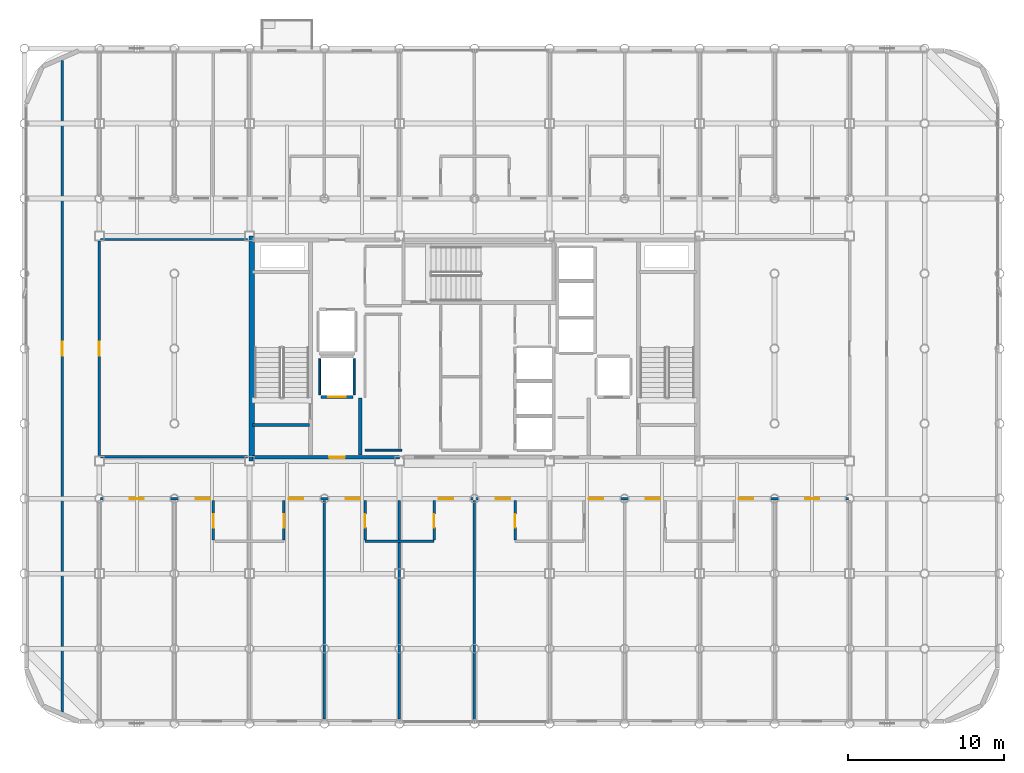
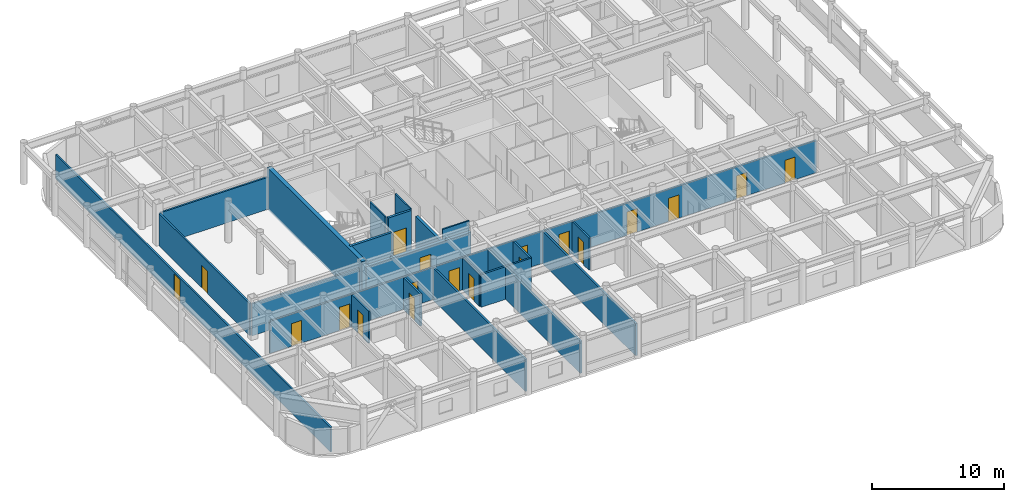
# One storey, part 17 of 23: 22 walls, 19 doors, 19 openings.
"""IFC4 building model written with IfcOpenShell, lengths in metres."""

from ifc_helpers import new_model, si_unit, direction, frame, frame_2d, origin, place, context, subcontext, project, spatial, rectangle, extrude, material, layer, layer_set, type_object, element, fill, save


model = new_model("IFC4")

# Units and contexts
model_context = context("Model", 3, precision=1e-05, world=origin(), true_north=direction((0.0, 1.0)))
body_context = subcontext(model_context, "Body", "Model", "MODEL_VIEW")
ifc_project = project(units=[si_unit("LENGTHUNIT", "METRE"), si_unit("AREAUNIT", "SQUARE_METRE"), si_unit("VOLUMEUNIT", "CUBIC_METRE"), si_unit("PLANEANGLEUNIT", "RADIAN"), si_unit("MASSUNIT", "GRAM", prefix="KILO")], contexts=[model_context])

# Site, building, storey
site_placement = place(None, origin())
site = spatial("IfcSite", under=ifc_project, at=site_placement, CompositionType="ELEMENT")
building_placement = place(site_placement, origin())
building = spatial("IfcBuilding", under=site, at=building_placement, Name="Kallvorn Hotel Tower", CompositionType="ELEMENT")
storey_placement = place(building_placement, frame((0.0, 0.0, 195.35009765625)))
storey = spatial("IfcBuildingStorey", under=building, at=storey_placement, Name="L48", CompositionType="ELEMENT", Elevation=195.35009765625)

# Walls
ifc_material_1 = material(Name="Concrete C50/60", Category="concrete")
ifc_layer_1 = layer(ifc_material_1, 0.35009765625)
ifc_layer_set_1 = layer_set([ifc_layer_1], Name="WL_CORE_350")
wall_type_1 = type_object("IfcWallType", Name="WL_CORE_350", PredefinedType="SHEAR", material=ifc_layer_set_1)
wall_1_placement = place(storey_placement, frame((-14.239990234375, -7.199951171875, -0.18017578125), z_axis=(0.0, 0.0, 1.0), x_axis=(0.0, 1.0, 0.0)))
element("IfcWall", 1, at=wall_1_placement, inside=storey, type_object=wall_type_1, Name="L48 Core West Shear Wall", PredefinedType="SHEAR", context=body_context, shape_type="SweptSolid", body=[
    extrude(rectangle(XDim=14.39990234375, YDim=0.35009765625, at=frame_2d((7.199951171875, 0.0))), origin(), (0.0, 0.0, 1.0), 3.85009765625),
])
ifc_material_2 = material(Name="Fire-rated double-layer acoustic gypsum drywall EI 60")
ifc_layer_2 = layer(ifc_material_2, 0.159912109375)
ifc_layer_set_2 = layer_set([ifc_layer_2], Name="WL_DEMISE_160")
wall_type_2 = type_object("IfcWallType", Name="WL_DEMISE_160", PredefinedType="PARTITIONING", material=ifc_layer_set_2)
wall_2_placement = place(storey_placement, frame((-7.010009765625, -12.320068359375, 0.0), z_axis=(0.0, 0.0, 1.0), x_axis=(1.0, 0.0, 0.0)))
element("IfcWall", 2, at=wall_2_placement, inside=storey, type_object=wall_type_2, Name="L48 Suite 4803 Superior Twin Room Partition", PredefinedType="PARTITIONING", context=body_context, shape_type="SweptSolid", body=[
    extrude(rectangle(XDim=4.419921875, YDim=0.159912109375, at=frame_2d((2.2099609375, 0.0))), origin(), (0.0, 0.0, 1.0), 3.02001953125),
])

# Wall, openings, doors
wall_3_placement = place(storey_placement, frame((-23.919921875, -9.60009765625, 0.0), z_axis=(0.0, 0.0, 1.0), x_axis=(1.0, 0.0, 0.0)))
wall_3 = element("IfcWall", 3, at=wall_3_placement, inside=storey, type_object=wall_type_2, Name="L48 Suite 4801 Superior Twin Room Partition", PredefinedType="PARTITIONING", context=body_context, shape_type="SweptSolid", body=[
    extrude(rectangle(XDim=47.83984375, YDim=0.159912109375, at=frame_2d((23.919921875, 0.0))), origin(), (0.0, 0.0, 1.0), 2.969970703125),
])
opening_1_placement = place(wall_3_placement, frame((1.8701171875, 0.0, 0.0)))
opening_1 = element("IfcOpeningElement", 4, at=opening_1_placement, cuts=wall_3, Name="Opening SVD1", PredefinedType="OPENING", context=body_context, shape_type="SweptSolid", body=[
    extrude(rectangle(XDim=0.89990234375, YDim=2.10009765625, at=frame_2d((0.449951171875, 1.050048828125))), frame((0.0, 0.094970703125, 0.0), z_axis=(0.0, -1.0, 0.0), x_axis=(1.0, 0.0, 0.0)), (0.0, 0.0, 1.0), 0.18994140625),
])
opening_2_placement = place(wall_3_placement, frame((45.070068359375, 0.0, 0.0)))
opening_2 = element("IfcOpeningElement", 5, at=opening_2_placement, cuts=wall_3, Name="Opening SVD1", PredefinedType="OPENING", context=body_context, shape_type="SweptSolid", body=[
    extrude(rectangle(XDim=0.89990234375, YDim=2.10009765625, at=frame_2d((0.449951171875, 1.050048828125))), frame((0.0, 0.094970703125, 0.0), z_axis=(0.0, -1.0, 0.0), x_axis=(1.0, 0.0, 0.0)), (0.0, 0.0, 1.0), 0.18994140625),
])
opening_3_placement = place(wall_3_placement, frame((6.090087890625, 0.0, 0.0)))
opening_3 = element("IfcOpeningElement", 6, at=opening_3_placement, cuts=wall_3, Name="Opening GD1", PredefinedType="OPENING", context=body_context, shape_type="SweptSolid", body=[
    extrude(rectangle(XDim=0.919921875, YDim=2.14990234375, at=frame_2d((0.4599609375, 1.074951171875))), frame((0.0, 0.094970703125, 0.0), z_axis=(0.0, -1.0, 0.0), x_axis=(1.0, 0.0, 0.0)), (0.0, 0.0, 1.0), 0.18994140625),
])
opening_4_placement = place(wall_3_placement, frame((12.030029296875, 0.0, 0.0)))
opening_4 = element("IfcOpeningElement", 7, at=opening_4_placement, cuts=wall_3, Name="Opening GD1", PredefinedType="OPENING", context=body_context, shape_type="SweptSolid", body=[
    extrude(rectangle(XDim=0.919921875, YDim=2.14990234375, at=frame_2d((0.4599609375, 1.074951171875))), frame((0.0, 0.094970703125, 0.0), z_axis=(0.0, -1.0, 0.0), x_axis=(1.0, 0.0, 0.0)), (0.0, 0.0, 1.0), 0.18994140625),
])
opening_5_placement = place(wall_3_placement, frame((15.68994140625, 0.0, 0.0)))
opening_5 = element("IfcOpeningElement", 8, at=opening_5_placement, cuts=wall_3, Name="Opening GD1", PredefinedType="OPENING", context=body_context, shape_type="SweptSolid", body=[
    extrude(rectangle(XDim=0.919921875, YDim=2.14990234375, at=frame_2d((0.4599609375, 1.074951171875))), frame((0.0, 0.094970703125, 0.0), z_axis=(0.0, -1.0, 0.0), x_axis=(1.0, 0.0, 0.0)), (0.0, 0.0, 1.0), 0.18994140625),
])
opening_6_placement = place(wall_3_placement, frame((21.6298828125, 0.0, 0.0)))
opening_6 = element("IfcOpeningElement", 9, at=opening_6_placement, cuts=wall_3, Name="Opening GD1", PredefinedType="OPENING", context=body_context, shape_type="SweptSolid", body=[
    extrude(rectangle(XDim=0.919921875, YDim=2.14990234375, at=frame_2d((0.4599609375, 1.074951171875))), frame((0.0, 0.094970703125, 0.0), z_axis=(0.0, -1.0, 0.0), x_axis=(1.0, 0.0, 0.0)), (0.0, 0.0, 1.0), 0.18994140625),
])
opening_7_placement = place(wall_3_placement, frame((25.2900390625, 0.0, 0.0)))
opening_7 = element("IfcOpeningElement", 10, at=opening_7_placement, cuts=wall_3, Name="Opening GD1", PredefinedType="OPENING", context=body_context, shape_type="SweptSolid", body=[
    extrude(rectangle(XDim=0.919921875, YDim=2.14990234375, at=frame_2d((0.4599609375, 1.074951171875))), frame((0.0, 0.094970703125, 0.0), z_axis=(0.0, -1.0, 0.0), x_axis=(1.0, 0.0, 0.0)), (0.0, 0.0, 1.0), 0.18994140625),
])
opening_8_placement = place(wall_3_placement, frame((31.22998046875, 0.0, 0.0)))
opening_8 = element("IfcOpeningElement", 11, at=opening_8_placement, cuts=wall_3, Name="Opening GD1", PredefinedType="OPENING", context=body_context, shape_type="SweptSolid", body=[
    extrude(rectangle(XDim=0.919921875, YDim=2.14990234375, at=frame_2d((0.4599609375, 1.074951171875))), frame((0.0, 0.094970703125, 0.0), z_axis=(0.0, -1.0, 0.0), x_axis=(1.0, 0.0, 0.0)), (0.0, 0.0, 1.0), 0.18994140625),
])
opening_9_placement = place(wall_3_placement, frame((34.889892578125, 0.0, 0.0)))
opening_9 = element("IfcOpeningElement", 12, at=opening_9_placement, cuts=wall_3, Name="Opening GD1", PredefinedType="OPENING", context=body_context, shape_type="SweptSolid", body=[
    extrude(rectangle(XDim=0.919921875, YDim=2.14990234375, at=frame_2d((0.4599609375, 1.074951171875))), frame((0.0, 0.094970703125, 0.0), z_axis=(0.0, -1.0, 0.0), x_axis=(1.0, 0.0, 0.0)), (0.0, 0.0, 1.0), 0.18994140625),
])
opening_10_placement = place(wall_3_placement, frame((40.830078125, 0.0, 0.0)))
opening_10 = element("IfcOpeningElement", 13, at=opening_10_placement, cuts=wall_3, Name="Opening GD1", PredefinedType="OPENING", context=body_context, shape_type="SweptSolid", body=[
    extrude(rectangle(XDim=0.919921875, YDim=2.14990234375, at=frame_2d((0.4599609375, 1.074951171875))), frame((0.0, 0.094970703125, 0.0), z_axis=(0.0, -1.0, 0.0), x_axis=(1.0, 0.0, 0.0)), (0.0, 0.0, 1.0), 0.18994140625),
])
ifc_material_3 = material(Name="Solid-core walnut veneer fire-rated timber door leaf", Category="wood")
door_type_1 = type_object("IfcDoorType", Name="DR_GUEST_920x2150", OperationType="NOTDEFINED", PredefinedType="DOOR", material=ifc_material_3)
door_1_placement = place(opening_3_placement, origin())
door_1 = element("IfcDoor", 14, at=door_1_placement, inside=storey, type_object=door_type_1, Name="L48 Suite 4801 Superior Twin Room Door", OperationType="SINGLE_SWING_RIGHT", OverallHeight=2.14990234375, OverallWidth=0.919921875, PredefinedType="DOOR", context=body_context, shape_type="SweptSolid", body=[
    extrude(rectangle(XDim=0.919921875, YDim=2.14990234375, at=frame_2d((0.4599609375, 1.074951171875))), frame((0.0, 0.02490234375, 0.0), z_axis=(0.0, -1.0, 0.0), x_axis=(1.0, 0.0, 0.0)), (0.0, 0.0, 1.0), 0.050048828125),
])
fill(opening_3, door_1)
door_2_placement = place(opening_4_placement, origin())
door_2 = element("IfcDoor", 15, at=door_2_placement, inside=storey, type_object=door_type_1, Name="L48 Suite 4802 Superior Twin Room Door", OperationType="SINGLE_SWING_RIGHT", OverallHeight=2.14990234375, OverallWidth=0.919921875, PredefinedType="DOOR", context=body_context, shape_type="SweptSolid", body=[
    extrude(rectangle(XDim=0.919921875, YDim=2.14990234375, at=frame_2d((0.4599609375, 1.074951171875))), frame((0.0, 0.02490234375, 0.0), z_axis=(0.0, -1.0, 0.0), x_axis=(1.0, 0.0, 0.0)), (0.0, 0.0, 1.0), 0.050048828125),
])
fill(opening_4, door_2)
door_3_placement = place(opening_5_placement, origin())
door_3 = element("IfcDoor", 16, at=door_3_placement, inside=storey, type_object=door_type_1, Name="L48 Suite 4803 Superior Twin Room Door", OperationType="SINGLE_SWING_RIGHT", OverallHeight=2.14990234375, OverallWidth=0.919921875, PredefinedType="DOOR", context=body_context, shape_type="SweptSolid", body=[
    extrude(rectangle(XDim=0.919921875, YDim=2.14990234375, at=frame_2d((0.4599609375, 1.074951171875))), frame((0.0, 0.02490234375, 0.0), z_axis=(0.0, -1.0, 0.0), x_axis=(1.0, 0.0, 0.0)), (0.0, 0.0, 1.0), 0.050048828125),
])
fill(opening_5, door_3)
door_4_placement = place(opening_6_placement, origin())
door_4 = element("IfcDoor", 17, at=door_4_placement, inside=storey, type_object=door_type_1, Name="L48 Suite 4804 Superior Twin Room Door", OperationType="SINGLE_SWING_LEFT", OverallHeight=2.14990234375, OverallWidth=0.919921875, PredefinedType="DOOR", context=body_context, shape_type="SweptSolid", body=[
    extrude(rectangle(XDim=0.919921875, YDim=2.14990234375, at=frame_2d((0.4599609375, 1.074951171875))), frame((0.0, 0.02490234375, 0.0), z_axis=(0.0, -1.0, 0.0), x_axis=(1.0, 0.0, 0.0)), (0.0, 0.0, 1.0), 0.050048828125),
])
fill(opening_6, door_4)
door_5_placement = place(opening_7_placement, origin())
door_5 = element("IfcDoor", 18, at=door_5_placement, inside=storey, type_object=door_type_1, Name="L48 Suite 4805 Superior Twin Room Door", OperationType="SINGLE_SWING_RIGHT", OverallHeight=2.14990234375, OverallWidth=0.919921875, PredefinedType="DOOR", context=body_context, shape_type="SweptSolid", body=[
    extrude(rectangle(XDim=0.919921875, YDim=2.14990234375, at=frame_2d((0.4599609375, 1.074951171875))), frame((0.0, 0.02490234375, 0.0), z_axis=(0.0, -1.0, 0.0), x_axis=(1.0, 0.0, 0.0)), (0.0, 0.0, 1.0), 0.050048828125),
])
fill(opening_7, door_5)
door_6_placement = place(opening_8_placement, origin())
door_6 = element("IfcDoor", 19, at=door_6_placement, inside=storey, type_object=door_type_1, Name="L48 Suite 4806 Superior Twin Room Door", OperationType="SINGLE_SWING_RIGHT", OverallHeight=2.14990234375, OverallWidth=0.919921875, PredefinedType="DOOR", context=body_context, shape_type="SweptSolid", body=[
    extrude(rectangle(XDim=0.919921875, YDim=2.14990234375, at=frame_2d((0.4599609375, 1.074951171875))), frame((0.0, 0.02490234375, 0.0), z_axis=(0.0, -1.0, 0.0), x_axis=(1.0, 0.0, 0.0)), (0.0, 0.0, 1.0), 0.050048828125),
])
fill(opening_8, door_6)
door_7_placement = place(opening_9_placement, origin())
door_7 = element("IfcDoor", 20, at=door_7_placement, inside=storey, type_object=door_type_1, Name="L48 Suite 4807 Superior Twin Room Door", OperationType="SINGLE_SWING_RIGHT", OverallHeight=2.14990234375, OverallWidth=0.919921875, PredefinedType="DOOR", context=body_context, shape_type="SweptSolid", body=[
    extrude(rectangle(XDim=0.919921875, YDim=2.14990234375, at=frame_2d((0.4599609375, 1.074951171875))), frame((0.0, 0.02490234375, 0.0), z_axis=(0.0, -1.0, 0.0), x_axis=(1.0, 0.0, 0.0)), (0.0, 0.0, 1.0), 0.050048828125),
])
fill(opening_9, door_7)
door_8_placement = place(opening_10_placement, origin())
door_8 = element("IfcDoor", 21, at=door_8_placement, inside=storey, type_object=door_type_1, Name="L48 Suite 4808 Superior Twin Room Door", OperationType="SINGLE_SWING_LEFT", OverallHeight=2.14990234375, OverallWidth=0.919921875, PredefinedType="DOOR", context=body_context, shape_type="SweptSolid", body=[
    extrude(rectangle(XDim=0.919921875, YDim=2.14990234375, at=frame_2d((0.4599609375, 1.074951171875))), frame((0.0, 0.02490234375, 0.0), z_axis=(0.0, -1.0, 0.0), x_axis=(1.0, 0.0, 0.0)), (0.0, 0.0, 1.0), 0.050048828125),
])
fill(opening_10, door_8)
ifc_material_4 = material(Name="Galvanised painted steel fire-rated door assembly", Category="steel")
door_type_2 = type_object("IfcDoorType", Name="DR_SERV_900x2100", OperationType="NOTDEFINED", PredefinedType="DOOR", material=ifc_material_4)
door_9_placement = place(opening_1_placement, origin())
door_9 = element("IfcDoor", 22, at=door_9_placement, inside=storey, type_object=door_type_2, Name="L48 L48 High-Zone South-West Tea Bar Door", OperationType="SINGLE_SWING_LEFT", OverallHeight=2.10009765625, OverallWidth=0.89990234375, PredefinedType="DOOR", context=body_context, shape_type="SweptSolid", body=[
    extrude(rectangle(XDim=0.89990234375, YDim=2.10009765625, at=frame_2d((0.449951171875, 1.050048828125))), frame((0.0, 0.02490234375, 0.0), z_axis=(0.0, -1.0, 0.0), x_axis=(1.0, 0.0, 0.0)), (0.0, 0.0, 1.0), 0.050048828125),
])
fill(opening_1, door_9)
door_10_placement = place(opening_2_placement, origin())
door_10 = element("IfcDoor", 23, at=door_10_placement, inside=storey, type_object=door_type_2, Name="L48 L48 High-Zone South-East Wine Bar Door", OperationType="SINGLE_SWING_LEFT", OverallHeight=2.10009765625, OverallWidth=0.89990234375, PredefinedType="DOOR", context=body_context, shape_type="SweptSolid", body=[
    extrude(rectangle(XDim=0.89990234375, YDim=2.10009765625, at=frame_2d((0.449951171875, 1.050048828125))), frame((0.0, 0.02490234375, 0.0), z_axis=(0.0, -1.0, 0.0), x_axis=(1.0, 0.0, 0.0)), (0.0, 0.0, 1.0), 0.050048828125),
])
fill(opening_2, door_10)

# Wall, opening, door
wall_4_placement = place(storey_placement, frame((-16.705078125, -12.235107421875, 0.0), z_axis=(0.0, 0.0, 1.0), x_axis=(0.0, 1.0, 0.0)))
wall_4 = element("IfcWall", 24, at=wall_4_placement, inside=storey, type_object=wall_type_2, Name="L48 Suite 4801 Superior Twin Room Partition", PredefinedType="PARTITIONING", context=body_context, shape_type="SweptSolid", body=[
    extrude(rectangle(XDim=2.51513671875, YDim=0.159912109375, at=frame_2d((1.257568359375, 0.0))), origin(), (0.0, 0.0, 1.0), 2.969970703125),
])
opening_11_placement = place(wall_4_placement, frame((0.784912109375, 0.0, 0.0)))
opening_11 = element("IfcOpeningElement", 25, at=opening_11_placement, cuts=wall_4, Name="Opening BD-I", PredefinedType="OPENING", context=body_context, shape_type="SweptSolid", body=[
    extrude(rectangle(XDim=0.860107421875, YDim=2.10009765625, at=frame_2d((0.43017578125, 1.050048828125))), frame((0.0, 0.094970703125, 0.0), z_axis=(0.0, -1.0, 0.0), x_axis=(1.0, 0.0, 0.0)), (0.0, 0.0, 1.0), 0.18994140625),
])
ifc_material_5 = material(Name="Solid-core walnut veneer fire-rated timber door leaf", Category="wood")
door_type_3 = type_object("IfcDoorType", Name="DR_BATH_860x2100", OperationType="NOTDEFINED", PredefinedType="DOOR", material=ifc_material_5)
door_11_placement = place(opening_11_placement, origin())
door_11 = element("IfcDoor", 26, at=door_11_placement, inside=storey, type_object=door_type_3, Name="L48 Suite 4801 En-Suite Bathroom Door", OperationType="SINGLE_SWING_LEFT", OverallHeight=2.10009765625, OverallWidth=0.860107421875, PredefinedType="DOOR", context=body_context, shape_type="SweptSolid", body=[
    extrude(rectangle(XDim=0.860107421875, YDim=2.10009765625, at=frame_2d((0.43017578125, 1.050048828125))), frame((0.0, 0.02490234375, 0.0), z_axis=(0.0, -1.0, 0.0), x_axis=(1.0, 0.0, 0.0)), (0.0, 0.0, 1.0), 0.050048828125),
])
fill(opening_11, door_11)

wall_5_placement = place(storey_placement, frame((-12.18994140625, -12.235107421875, 0.0), z_axis=(0.0, 0.0, 1.0), x_axis=(0.0, 1.0, 0.0)))
wall_5 = element("IfcWall", 27, at=wall_5_placement, inside=storey, type_object=wall_type_2, Name="L48 Suite 4802 Superior Twin Room Partition", PredefinedType="PARTITIONING", context=body_context, shape_type="SweptSolid", body=[
    extrude(rectangle(XDim=2.51513671875, YDim=0.159912109375, at=frame_2d((1.257568359375, 0.0))), origin(), (0.0, 0.0, 1.0), 2.969970703125),
])
opening_12_placement = place(wall_5_placement, frame((0.784912109375, 0.0, 0.0)))
opening_12 = element("IfcOpeningElement", 28, at=opening_12_placement, cuts=wall_5, Name="Opening BD-I", PredefinedType="OPENING", context=body_context, shape_type="SweptSolid", body=[
    extrude(rectangle(XDim=0.860107421875, YDim=2.10009765625, at=frame_2d((0.43017578125, 1.050048828125))), frame((0.0, 0.094970703125, 0.0), z_axis=(0.0, -1.0, 0.0), x_axis=(1.0, 0.0, 0.0)), (0.0, 0.0, 1.0), 0.18994140625),
])
door_12_placement = place(opening_12_placement, origin())
door_12 = element("IfcDoor", 29, at=door_12_placement, inside=storey, type_object=door_type_3, Name="L48 Suite 4802 En-Suite Bathroom Door", OperationType="SINGLE_SWING_LEFT", OverallHeight=2.10009765625, OverallWidth=0.860107421875, PredefinedType="DOOR", context=body_context, shape_type="SweptSolid", body=[
    extrude(rectangle(XDim=0.860107421875, YDim=2.10009765625, at=frame_2d((0.43017578125, 1.050048828125))), frame((0.0, 0.02490234375, 0.0), z_axis=(0.0, -1.0, 0.0), x_axis=(1.0, 0.0, 0.0)), (0.0, 0.0, 1.0), 0.050048828125),
])
fill(opening_12, door_12)

# Wall
wall_6_placement = place(storey_placement, frame((-9.60009765625, -23.7099609375, 0.0), z_axis=(0.0, 0.0, 1.0), x_axis=(0.0, 1.0, 0.0)))
element("IfcWall", 30, at=wall_6_placement, inside=storey, type_object=wall_type_2, Name="L48 Suite 4802 Superior Twin Room Partition", PredefinedType="PARTITIONING", context=body_context, shape_type="SweptSolid", body=[
    extrude(rectangle(XDim=13.989990234375, YDim=0.159912109375, at=frame_2d((6.9951171875, 0.0))), origin(), (0.0, 0.0, 1.0), 2.969970703125),
])

# Wall, opening, door
wall_7_placement = place(storey_placement, frame((-7.0048828125, -12.235107421875, 0.0), z_axis=(0.0, 0.0, 1.0), x_axis=(0.0, 1.0, 0.0)))
wall_7 = element("IfcWall", 31, at=wall_7_placement, inside=storey, type_object=wall_type_2, Name="L48 Suite 4803 Superior Twin Room Partition", PredefinedType="PARTITIONING", context=body_context, shape_type="SweptSolid", body=[
    extrude(rectangle(XDim=2.51513671875, YDim=0.159912109375, at=frame_2d((1.257568359375, 0.0))), origin(), (0.0, 0.0, 1.0), 2.969970703125),
])
opening_13_placement = place(wall_7_placement, frame((0.784912109375, 0.0, 0.0)))
opening_13 = element("IfcOpeningElement", 32, at=opening_13_placement, cuts=wall_7, Name="Opening BD-I", PredefinedType="OPENING", context=body_context, shape_type="SweptSolid", body=[
    extrude(rectangle(XDim=0.860107421875, YDim=2.10009765625, at=frame_2d((0.43017578125, 1.050048828125))), frame((0.0, 0.094970703125, 0.0), z_axis=(0.0, -1.0, 0.0), x_axis=(1.0, 0.0, 0.0)), (0.0, 0.0, 1.0), 0.18994140625),
])
door_13_placement = place(opening_13_placement, origin())
door_13 = element("IfcDoor", 33, at=door_13_placement, inside=storey, type_object=door_type_3, Name="L48 Suite 4803 En-Suite Bathroom Door", OperationType="SINGLE_SWING_RIGHT", OverallHeight=2.10009765625, OverallWidth=0.860107421875, PredefinedType="DOOR", context=body_context, shape_type="SweptSolid", body=[
    extrude(rectangle(XDim=0.860107421875, YDim=2.10009765625, at=frame_2d((0.43017578125, 1.050048828125))), frame((0.0, 0.02490234375, 0.0), z_axis=(0.0, -1.0, 0.0), x_axis=(1.0, 0.0, 0.0)), (0.0, 0.0, 1.0), 0.050048828125),
])
fill(opening_13, door_13)

# Wall
wall_8_placement = place(storey_placement, frame((-4.800048828125, -23.7099609375, 0.0), z_axis=(0.0, 0.0, 1.0), x_axis=(0.0, 1.0, 0.0)))
element("IfcWall", 34, at=wall_8_placement, inside=storey, type_object=wall_type_2, Name="L48 Suite 4803 Superior Twin Room Partition", PredefinedType="PARTITIONING", context=body_context, shape_type="SweptSolid", body=[
    extrude(rectangle(XDim=13.989990234375, YDim=0.159912109375, at=frame_2d((6.9951171875, 0.0))), origin(), (0.0, 0.0, 1.0), 2.969970703125),
])

# Wall, opening, door
wall_9_placement = place(storey_placement, frame((-2.590087890625, -12.235107421875, 0.0), z_axis=(0.0, 0.0, 1.0), x_axis=(0.0, 1.0, 0.0)))
wall_9 = element("IfcWall", 35, at=wall_9_placement, inside=storey, type_object=wall_type_2, Name="L48 Suite 4804 Superior Twin Room Partition", PredefinedType="PARTITIONING", context=body_context, shape_type="SweptSolid", body=[
    extrude(rectangle(XDim=2.51513671875, YDim=0.159912109375, at=frame_2d((1.257568359375, 0.0))), origin(), (0.0, 0.0, 1.0), 2.969970703125),
])
opening_14_placement = place(wall_9_placement, frame((0.784912109375, 0.0, 0.0)))
opening_14 = element("IfcOpeningElement", 36, at=opening_14_placement, cuts=wall_9, Name="Opening BD-I", PredefinedType="OPENING", context=body_context, shape_type="SweptSolid", body=[
    extrude(rectangle(XDim=0.860107421875, YDim=2.10009765625, at=frame_2d((0.43017578125, 1.050048828125))), frame((0.0, 0.094970703125, 0.0), z_axis=(0.0, -1.0, 0.0), x_axis=(1.0, 0.0, 0.0)), (0.0, 0.0, 1.0), 0.18994140625),
])
door_14_placement = place(opening_14_placement, origin())
door_14 = element("IfcDoor", 37, at=door_14_placement, inside=storey, type_object=door_type_3, Name="L48 Suite 4804 En-Suite Bathroom Door", OperationType="SINGLE_SWING_RIGHT", OverallHeight=2.10009765625, OverallWidth=0.860107421875, PredefinedType="DOOR", context=body_context, shape_type="SweptSolid", body=[
    extrude(rectangle(XDim=0.860107421875, YDim=2.10009765625, at=frame_2d((0.43017578125, 1.050048828125))), frame((0.0, 0.02490234375, 0.0), z_axis=(0.0, -1.0, 0.0), x_axis=(1.0, 0.0, 0.0)), (0.0, 0.0, 1.0), 0.050048828125),
])
fill(opening_14, door_14)

# Wall
wall_10_placement = place(storey_placement, frame((0.0, -23.794921875, 0.0), z_axis=(0.0, 0.0, 1.0), x_axis=(0.0, 1.0, 0.0)))
element("IfcWall", 38, at=wall_10_placement, inside=storey, type_object=wall_type_2, Name="L48 Suite 4804 Superior Twin Room Partition", PredefinedType="PARTITIONING", context=body_context, shape_type="SweptSolid", body=[
    extrude(rectangle(XDim=14.074951171875, YDim=0.159912109375, at=frame_2d((7.03759765625, 0.0))), origin(), (0.0, 0.0, 1.0), 2.969970703125),
])

# Wall, opening, door
wall_11_placement = place(storey_placement, frame((2.59326171875, -12.235107421875, 0.0), z_axis=(0.0, 0.0, 1.0), x_axis=(0.0, 1.0, 0.0)))
wall_11 = element("IfcWall", 39, at=wall_11_placement, inside=storey, type_object=wall_type_2, Name="L48 Suite 4805 Superior Twin Room Partition", PredefinedType="PARTITIONING", context=body_context, shape_type="SweptSolid", body=[
    extrude(rectangle(XDim=2.51513671875, YDim=0.159912109375, at=frame_2d((1.257568359375, 0.0))), origin(), (0.0, 0.0, 1.0), 2.969970703125),
])
opening_15_placement = place(wall_11_placement, frame((0.784912109375, 0.0, 0.0)))
opening_15 = element("IfcOpeningElement", 40, at=opening_15_placement, cuts=wall_11, Name="Opening BD-I", PredefinedType="OPENING", context=body_context, shape_type="SweptSolid", body=[
    extrude(rectangle(XDim=0.860107421875, YDim=2.10009765625, at=frame_2d((0.43017578125, 1.050048828125))), frame((0.0, 0.094970703125, 0.0), z_axis=(0.0, -1.0, 0.0), x_axis=(1.0, 0.0, 0.0)), (0.0, 0.0, 1.0), 0.18994140625),
])
door_15_placement = place(opening_15_placement, origin())
door_15 = element("IfcDoor", 41, at=door_15_placement, inside=storey, type_object=door_type_3, Name="L48 Suite 4805 En-Suite Bathroom Door", OperationType="SINGLE_SWING_RIGHT", OverallHeight=2.10009765625, OverallWidth=0.860107421875, PredefinedType="DOOR", context=body_context, shape_type="SweptSolid", body=[
    extrude(rectangle(XDim=0.860107421875, YDim=2.10009765625, at=frame_2d((0.43017578125, 1.050048828125))), frame((0.0, 0.02490234375, 0.0), z_axis=(0.0, -1.0, 0.0), x_axis=(1.0, 0.0, 0.0)), (0.0, 0.0, 1.0), 0.050048828125),
])
fill(opening_15, door_15)

# Walls
ifc_material_6 = material(Name="Concrete C40/50", Category="concrete")
ifc_layer_3 = layer(ifc_material_6, 0.219970703125)
ifc_layer_set_3 = layer_set([ifc_layer_3], Name="WL_FFL_220")
wall_type_3 = type_object("IfcWallType", Name="WL_FFL_220", PredefinedType="SOLIDWALL", material=ifc_layer_set_3)
wall_12_placement = place(storey_placement, frame((-7.300048828125, -6.820068359375, 0.0), z_axis=(0.0, 0.0, 1.0), x_axis=(0.0, 1.0, 0.0)))
element("IfcWall", 42, at=wall_12_placement, inside=storey, type_object=wall_type_3, Name="L48 Firefighting Lobby West Divider Wall", PredefinedType="SOLIDWALL", context=body_context, shape_type="SweptSolid", body=[
    extrude(rectangle(XDim=3.670166015625, YDim=0.219970703125, at=frame_2d((1.8349609375, 0.0))), origin(), (0.0, 0.0, 1.0), 2.969970703125),
])
ifc_material_7 = material(Name="Concrete C40/50", Category="concrete")
ifc_layer_4 = layer(ifc_material_7, 0.199951171875)
ifc_layer_set_4 = layer_set([ifc_layer_4], Name="WL_HOIST_200")
wall_type_4 = type_object("IfcWallType", Name="WL_HOIST_200", PredefinedType="SOLIDWALL", material=ifc_layer_set_4)
wall_13_placement = place(storey_placement, frame((-14.199951171875, -4.89990234375, -0.18017578125), z_axis=(0.0, 0.0, 1.0), x_axis=(1.0, 0.0, 0.0)))
element("IfcWall", 43, at=wall_13_placement, inside=storey, type_object=wall_type_4, Name="L48 Stair ST1 South Wall", PredefinedType="SOLIDWALL", context=body_context, shape_type="SweptSolid", body=[
    extrude(rectangle(XDim=3.64990234375, YDim=0.199951171875, at=frame_2d((1.824951171875, 0.0))), origin(), (0.0, 0.0, 1.0), 3.85009765625),
])

# Wall, opening, door
wall_14_placement = place(storey_placement, frame((-9.820068359375, -3.10009765625, 0.0), z_axis=(0.0, 0.0, 1.0), x_axis=(1.0, 0.0, 0.0)))
wall_14 = element("IfcWall", 44, at=wall_14_placement, inside=storey, type_object=wall_type_4, Name="L48 FL-1 Landing Wall", PredefinedType="SOLIDWALL", context=body_context, shape_type="SweptSolid", body=[
    extrude(rectangle(XDim=2.0400390625, YDim=0.199951171875, at=frame_2d((1.02001953125, 0.0))), origin(), (0.0, 0.0, 1.0), 3.669921875),
])
opening_16_placement = place(wall_14_placement, frame((0.469970703125, 0.0, 0.0)))
opening_16 = element("IfcOpeningElement", 45, at=opening_16_placement, cuts=wall_14, Name="Opening LD-FL-1", PredefinedType="OPENING", context=body_context, shape_type="SweptSolid", body=[
    extrude(rectangle(XDim=1.10009765625, YDim=2.199951171875, at=frame_2d((0.550048828125, 1.10009765625))), frame((0.0, 0.114990234375, 0.0), z_axis=(0.0, -1.0, 0.0), x_axis=(1.0, 0.0, 0.0)), (0.0, 0.0, 1.0), 0.22998046875),
])
ifc_material_8 = material(Name="Brushed stainless-steel automatic sliding lift landing door", Category="steel")
door_type_4 = type_object("IfcDoorType", Name="LD_PASS_1100x2200", OperationType="SLIDING_TO_LEFT", PredefinedType="DOOR", material=ifc_material_8)
door_16_placement = place(opening_16_placement, origin())
door_16 = element("IfcDoor", 46, at=door_16_placement, inside=storey, type_object=door_type_4, Name="L48 Lift Landing Sliding Door LD-FL-1", OperationType="SLIDING_TO_LEFT", OverallHeight=2.199951171875, OverallWidth=1.10009765625, PredefinedType="DOOR", context=body_context, shape_type="SweptSolid", body=[
    extrude(rectangle(XDim=1.10009765625, YDim=2.199951171875, at=frame_2d((0.550048828125, 1.10009765625))), frame((0.0, 0.02490234375, 0.0), z_axis=(0.0, -1.0, 0.0), x_axis=(1.0, 0.0, 0.0)), (0.0, 0.0, 1.0), 0.050048828125),
])
fill(opening_16, door_16)

# Walls
ifc_material_9 = material(Name="Fire-rated double-layer acoustic gypsum drywall EI 60")
ifc_layer_5 = layer(ifc_material_9, 0.1201171875)
ifc_layer_set_5 = layer_set([ifc_layer_5], Name="WL_INT_120")
wall_type_5 = type_object("IfcWallType", Name="WL_INT_120", PredefinedType="PARTITIONING", material=ifc_layer_set_5)
for number, where, z_axis, x_axis, name in (
    (47, (-9.89990234375, -2.9599609375, 0.0), (0.0, 0.0, 1.0), (0.0, 1.0, 0.0), "L48 FL-1 West Shaft Wall"),
    (48, (-7.699951171875, -2.9599609375, 0.0), (0.0, 0.0, 1.0), (0.0, 1.0, 0.0), "L48 FL-1 East Shaft Wall"),
):
    element("IfcWall", number, at=place(storey_placement, frame(where, z_axis=z_axis, x_axis=x_axis)), inside=storey, type_object=wall_type_5, Name=name, PredefinedType="PARTITIONING", context=body_context, shape_type="SweptSolid", body=[
        extrude(rectangle(XDim=2.320068359375, YDim=0.1201171875, at=frame_2d((1.16015625, 0.0))), origin(), (0.0, 0.0, 1.0), 3.669921875),
    ])
wall_15_placement = place(storey_placement, frame((-7.0, -6.5, 0.0), z_axis=(0.0, 0.0, 1.0), x_axis=(1.0, 0.0, 0.0)))
element("IfcWall", 49, at=wall_15_placement, inside=storey, type_object=wall_type_5, Name="L48 Recaptured Butler and Room-Service Pantry Partition", PredefinedType="PARTITIONING", context=body_context, shape_type="SweptSolid", body=[
    extrude(rectangle(XDim=2.35009765625, YDim=0.1201171875, at=frame_2d((1.175048828125, 0.0))), origin(), (0.0, 0.0, 1.0), 3.669921875),
])
ifc_material_10 = material(Name="Fire-rated double-layer acoustic gypsum drywall EI 60")
ifc_layer_6 = layer(ifc_material_10, 0.14990234375)
ifc_layer_set_6 = layer_set([ifc_layer_6], Name="WL_PART_150")
wall_type_6 = type_object("IfcWallType", Name="WL_PART_150", PredefinedType="PARTITIONING", material=ifc_layer_set_6)
for number, where, z_axis, x_axis, name in (
    (50, (-23.919921875, -6.919921875, 0.0), (0.0, 0.0, 1.0), (1.0, 0.0, 0.0), "L48 L48 High-Zone Inner West Club Bar Partition"),
    (51, (-23.919921875, 6.97998046875, 0.0), (0.0, 0.0, 1.0), (1.0, 0.0, 0.0), "L48 L48 High-Zone Inner West Club Bar Partition"),
):
    element("IfcWall", number, at=place(storey_placement, frame(where, z_axis=z_axis, x_axis=x_axis)), inside=storey, type_object=wall_type_6, Name=name, PredefinedType="PARTITIONING", context=body_context, shape_type="SweptSolid", body=[
        extrude(rectangle(XDim=9.39990234375, YDim=0.14990234375, at=frame_2d((4.699951171875, 0.0))), origin(), (0.0, 0.0, 1.0), 2.969970703125),
    ])

# Wall, opening, door
wall_16_placement = place(storey_placement, frame((-26.3798828125, -23.247314453125, 0.0), z_axis=(0.0, 0.0, 1.0), x_axis=(0.0, 1.0, 0.0)))
wall_16 = element("IfcWall", 52, at=wall_16_placement, inside=storey, type_object=wall_type_6, Name="L48 L48 Outer West Sky Observatory Salon Partition", PredefinedType="PARTITIONING", context=body_context, shape_type="SweptSolid", body=[
    extrude(rectangle(XDim=41.694580078125, YDim=0.14990234375, at=frame_2d((20.84716796875, 0.0))), origin(), (0.0, 0.0, 1.0), 2.27001953125),
])
opening_17_placement = place(wall_16_placement, frame((22.79736328125, 0.0, 0.0)))
opening_17 = element("IfcOpeningElement", 53, at=opening_17_placement, cuts=wall_16, Name="Opening SVD1", PredefinedType="OPENING", context=body_context, shape_type="SweptSolid", body=[
    extrude(rectangle(XDim=0.89990234375, YDim=2.10009765625, at=frame_2d((0.449951171875, 1.050048828125))), frame((0.0, 0.08984375, 0.0), z_axis=(0.0, -1.0, 0.0), x_axis=(1.0, 0.0, 0.0)), (0.0, 0.0, 1.0), 0.179931640625),
])
door_17_placement = place(opening_17_placement, origin())
door_17 = element("IfcDoor", 54, at=door_17_placement, inside=storey, type_object=door_type_2, Name="L48 L48 Outer West Sky Observatory Salon Door", OperationType="SINGLE_SWING_RIGHT", OverallHeight=2.10009765625, OverallWidth=0.89990234375, PredefinedType="DOOR", context=body_context, shape_type="SweptSolid", body=[
    extrude(rectangle(XDim=0.89990234375, YDim=2.10009765625, at=frame_2d((0.449951171875, 1.050048828125))), frame((0.0, 0.02490234375, 0.0), z_axis=(0.0, -1.0, 0.0), x_axis=(1.0, 0.0, 0.0)), (0.0, 0.0, 1.0), 0.050048828125),
])
fill(opening_17, door_17)

wall_17_placement = place(storey_placement, frame((-24.0, -6.8349609375, 0.0), z_axis=(0.0, 0.0, 1.0), x_axis=(0.0, 1.0, 0.0)))
wall_17 = element("IfcWall", 55, at=wall_17_placement, inside=storey, type_object=wall_type_6, Name="L48 L48 High-Zone Inner West Club Bar Partition", PredefinedType="PARTITIONING", context=body_context, shape_type="SweptSolid", body=[
    extrude(rectangle(XDim=13.72998046875, YDim=0.14990234375, at=frame_2d((6.864990234375, 0.0))), origin(), (0.0, 0.0, 1.0), 2.969970703125),
])
opening_18_placement = place(wall_17_placement, frame((6.385009765625, 0.0, 0.0)))
opening_18 = element("IfcOpeningElement", 56, at=opening_18_placement, cuts=wall_17, Name="Opening SVD1", PredefinedType="OPENING", context=body_context, shape_type="SweptSolid", body=[
    extrude(rectangle(XDim=0.89990234375, YDim=2.10009765625, at=frame_2d((0.449951171875, 1.050048828125))), frame((0.0, 0.08984375, 0.0), z_axis=(0.0, -1.0, 0.0), x_axis=(1.0, 0.0, 0.0)), (0.0, 0.0, 1.0), 0.179931640625),
])
door_18_placement = place(opening_18_placement, origin())
door_18 = element("IfcDoor", 57, at=door_18_placement, inside=storey, type_object=door_type_2, Name="L48 L48 High-Zone Inner West Club Bar Door", OperationType="SINGLE_SWING_LEFT", OverallHeight=2.10009765625, OverallWidth=0.89990234375, PredefinedType="DOOR", context=body_context, shape_type="SweptSolid", body=[
    extrude(rectangle(XDim=0.89990234375, YDim=2.10009765625, at=frame_2d((0.449951171875, 1.050048828125))), frame((0.0, 0.02490234375, 0.0), z_axis=(0.0, -1.0, 0.0), x_axis=(1.0, 0.0, 0.0)), (0.0, 0.0, 1.0), 0.050048828125),
])
fill(opening_18, door_18)

ifc_material_11 = material(Name="Concrete C40/50", Category="concrete")
ifc_layer_7 = layer(ifc_material_11, 0.25)
ifc_layer_set_7 = layer_set([ifc_layer_7], Name="WL_SHAFT_250")
wall_type_7 = type_object("IfcWallType", Name="WL_SHAFT_250", PredefinedType="SOLIDWALL", material=ifc_layer_set_7)
wall_18_placement = place(storey_placement, frame((-14.199951171875, -6.949951171875, 0.0), z_axis=(0.0, 0.0, 1.0), x_axis=(1.0, 0.0, 0.0)))
wall_18 = element("IfcWall", 58, at=wall_18_placement, inside=storey, type_object=wall_type_7, Name="L48 Core South-West Wall", PredefinedType="SOLIDWALL", context=body_context, shape_type="SweptSolid", body=[
    extrude(rectangle(XDim=9.39990234375, YDim=0.25, at=frame_2d((4.699951171875, 0.0))), origin(), (0.0, 0.0, 1.0), 2.969970703125),
])
opening_19_placement = place(wall_18_placement, frame((4.89990234375, 0.0, 0.0)))
opening_19 = element("IfcOpeningElement", 59, at=opening_19_placement, cuts=wall_18, Name="Opening FD1", PredefinedType="OPENING", context=body_context, shape_type="SweptSolid", body=[
    extrude(rectangle(XDim=1.0, YDim=2.14990234375, at=frame_2d((0.5, 1.074951171875))), frame((0.0, 0.139892578125, 0.0), z_axis=(0.0, -1.0, 0.0), x_axis=(1.0, 0.0, 0.0)), (0.0, 0.0, 1.0), 0.280029296875),
])
ifc_material_12 = material(Name="Galvanised painted steel fire-rated door assembly", Category="steel")
door_type_5 = type_object("IfcDoorType", Name="DR_FFL_1000x2150", OperationType="NOTDEFINED", PredefinedType="DOOR", material=ifc_material_12)
door_19_placement = place(opening_19_placement, origin())
door_19 = element("IfcDoor", 60, at=door_19_placement, inside=storey, type_object=door_type_5, Name="L48 Firefighting Lobby West Door", OperationType="SINGLE_SWING_LEFT", OverallHeight=2.14990234375, OverallWidth=1.0, PredefinedType="DOOR", context=body_context, shape_type="SweptSolid", body=[
    extrude(rectangle(XDim=1.0, YDim=2.14990234375, at=frame_2d((0.5, 1.074951171875))), frame((0.0, 0.02490234375, 0.0), z_axis=(0.0, -1.0, 0.0), x_axis=(1.0, 0.0, 0.0)), (0.0, 0.0, 1.0), 0.050048828125),
])
fill(opening_19, door_19)

save(model, "model.ifc")
